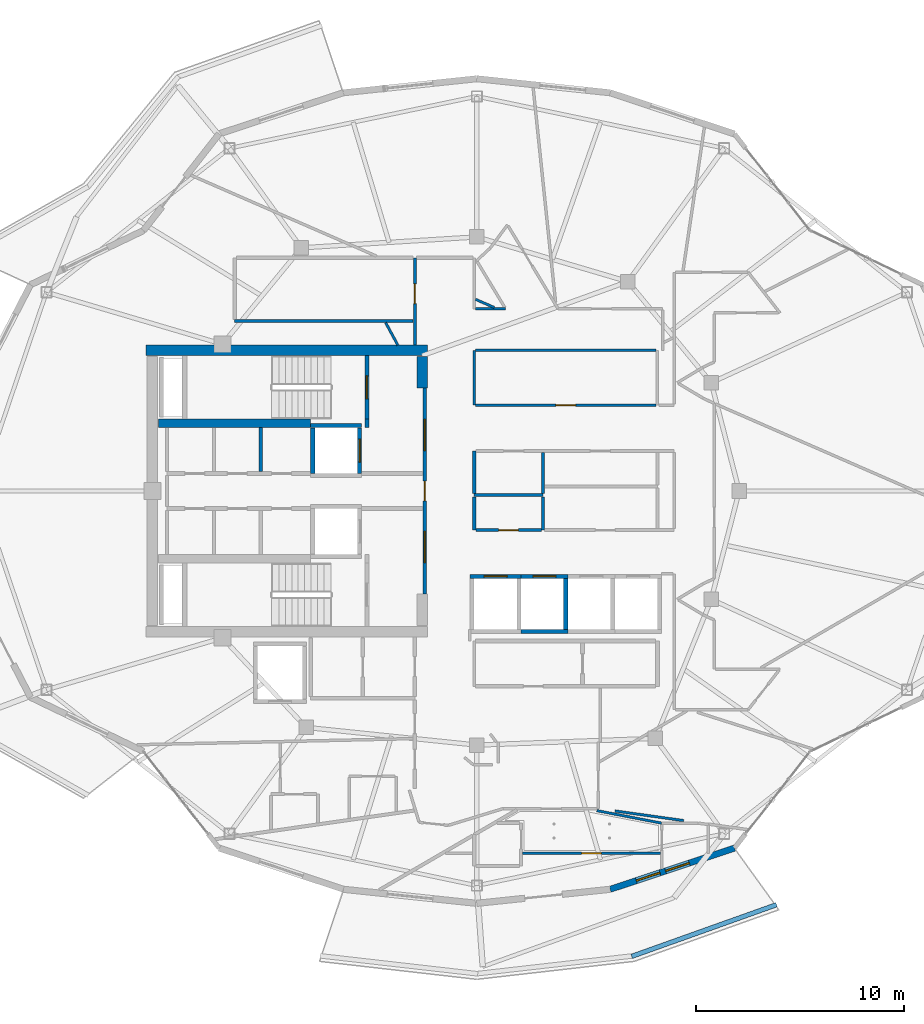
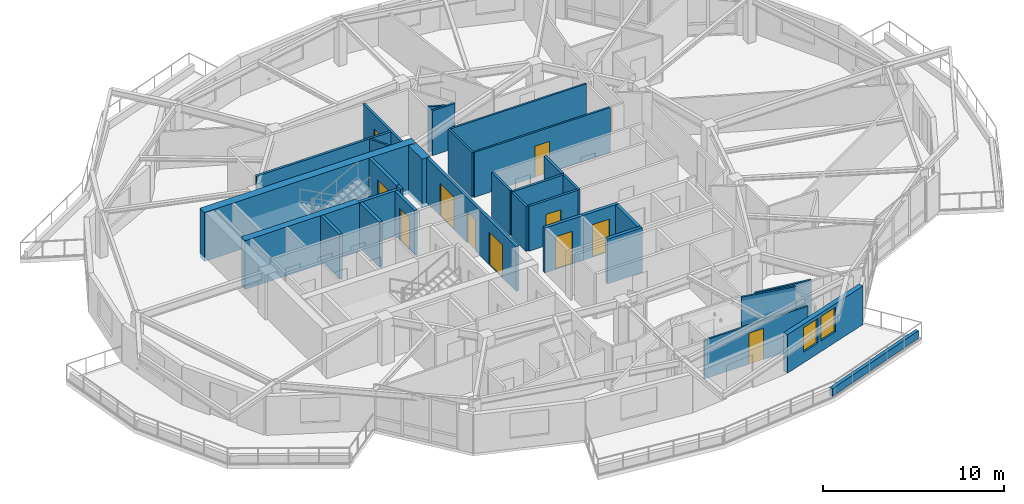
# One storey, part 10 of 21: 33 walls, 11 doors, 2 windows, 13 openings.
"""IFC4 building model written with IfcOpenShell, lengths in metres."""

import ifcopenshell
import ifcopenshell.guid

model = None  # the IFC model being written
_history = None  # IfcOwnerHistory: only IFC2X3 demands one
_inside = {}  # id of a spatial element -> (the spatial element, [elements in it])
_under = {}  # id of a project, library or spatial element -> (it, [spatial elements below it])
_declared = {}  # id of a project -> (the project, [libraries it declares])
_typed = {}  # id of a type object -> (the type object, [elements of that type])
_made_of = {}  # id of a material, layer set ... -> (it, [elements and type objects made of it])


def new_model(schema):
    """Start an empty IFC model of exactly this schema.

    Asked for "IFC4X3", IfcOpenShell would pick the latest addendum, in which some entities
    have other attributes; the version numbers below select the first issue.
    IFC2X3 requires an IfcOwnerHistory on every rooted entity: one is made here for all.
    """
    global model, _history
    if schema == "IFC4X3":
        model = ifcopenshell.file(schema_version=(4, 3, 0, 0))
    else:
        model = ifcopenshell.file(schema=schema)
    _inside.clear()
    _under.clear()
    _declared.clear()
    _typed.clear()
    _made_of.clear()
    _history = None
    if model.schema == "IFC2X3":
        org = make("IfcOrganization", Name="unknown")
        user = make(
            "IfcPersonAndOrganization",
            ThePerson=make("IfcPerson", FamilyName="unknown"),
            TheOrganization=org,
        )
        app = make(
            "IfcApplication",
            ApplicationDeveloper=org,
            Version="unknown",
            ApplicationFullName="unknown",
            ApplicationIdentifier="unknown",
        )
        _history = make(
            "IfcOwnerHistory",
            OwningUser=user,
            OwningApplication=app,
            ChangeAction="ADDED",
            CreationDate=0,
        )
    return model


def make(cls, **values):
    """One entity of the class cls with the attributes given. An attribute that is None is left unset."""
    return model.create_entity(
        cls, **{name: value for name, value in values.items() if value is not None}
    )


def rooted(cls, **values):
    """An entity with a GlobalId (a new one), such as an element, a storey or a relation."""
    return make(cls, GlobalId=ifcopenshell.guid.new(), OwnerHistory=_history, **values)


def si_unit(unit_type, name, prefix=None):
    """IfcSIUnit, for example si_unit("LENGTHUNIT", "METRE", prefix="MILLI")."""
    return make("IfcSIUnit", UnitType=unit_type, Prefix=prefix, Name=name)


def assignment(units):
    """IfcUnitAssignment: the units of a project."""
    return None if units is None else make("IfcUnitAssignment", Units=units)


def point(xyz):
    """IfcCartesianPoint."""
    return None if xyz is None else make("IfcCartesianPoint", Coordinates=xyz)


def direction(xyz):
    """IfcDirection."""
    return None if xyz is None else make("IfcDirection", DirectionRatios=xyz)


def frame(location, z_axis=None, x_axis=None):
    """IfcAxis2Placement3D, a coordinate frame: its origin and axes. An axis left out is left unset."""
    return make(
        "IfcAxis2Placement3D",
        Location=point(location),
        Axis=direction(z_axis),
        RefDirection=direction(x_axis),
    )


def frame_2d(location, x_axis=None):
    """IfcAxis2Placement2D, a coordinate frame in the plane: its origin and x axis."""
    return make(
        "IfcAxis2Placement2D", Location=point(location), RefDirection=direction(x_axis)
    )


def origin():
    """The frame at (0, 0, 0) with its axes left unset."""
    return frame((0.0, 0.0, 0.0))


def place(relative_to, where):
    """IfcLocalPlacement: puts the frame where relative to a parent placement (None: the world)."""
    return make(
        "IfcLocalPlacement", PlacementRelTo=relative_to, RelativePlacement=where
    )


def context(
    kind, dimensions, precision=None, world=None, true_north=None, identifier=None
):
    """IfcGeometricRepresentationContext, for example the 3D "Model" context."""
    return make(
        "IfcGeometricRepresentationContext",
        ContextIdentifier=identifier,
        ContextType=kind,
        CoordinateSpaceDimension=dimensions,
        Precision=precision,
        WorldCoordinateSystem=world,
        TrueNorth=true_north,
    )


def subcontext(parent, identifier, kind, view, scale=None):
    """IfcGeometricRepresentationSubContext, for example "Body" below "Model"."""
    return make(
        "IfcGeometricRepresentationSubContext",
        ContextIdentifier=identifier,
        ContextType=kind,
        ParentContext=parent,
        TargetScale=scale,
        TargetView=view,
    )


def project(units=None, contexts=None):
    """IfcProject with its units and contexts."""
    return rooted(
        "IfcProject",
        Name="project",
        RepresentationContexts=contexts,
        UnitsInContext=assignment(units),
    )


def spatial(cls, under=None, at=None, **own):
    """A site, building, storey or space (cls), placed at a placement, below another one or the project."""
    s = rooted(cls, ObjectPlacement=at, **own)
    if under is not None:
        _under.setdefault(under.id(), (under, []))[1].append(s)
    return s


def profile(cls, at=None, kind="AREA", **sizes):
    """A parametric profile (cls). Its sizes go by their IFC names, for example OverallWidth=200.0."""
    return make(cls, ProfileType=kind, Position=at, **sizes)


def rectangle(**sizes):
    """IfcRectangleProfileDef."""
    return profile("IfcRectangleProfileDef", **sizes)


def extrude(swept, where, along, depth):
    """IfcExtrudedAreaSolid: the profile swept, set in the frame where, extruded along a direction by depth."""
    return make(
        "IfcExtrudedAreaSolid",
        SweptArea=swept,
        Position=where,
        ExtrudedDirection=direction(along),
        Depth=depth,
    )


def shape(context_of_items, identifier, shape_type, items):
    """IfcShapeRepresentation: the items that make up one representation, for example the "Body"."""
    return make(
        "IfcShapeRepresentation",
        ContextOfItems=context_of_items,
        RepresentationIdentifier=identifier,
        RepresentationType=shape_type,
        Items=items,
    )


def material(Name=None, Category=None):
    """IfcMaterial."""
    return make("IfcMaterial", Name=Name, Category=Category)


def layer(
    of_material, thickness, ventilated=None, Name=None, Category=None, Priority=None
):
    """IfcMaterialLayer: one layer of a wall or slab, of a material (None: an air gap)."""
    return make(
        "IfcMaterialLayer",
        Material=of_material,
        LayerThickness=thickness,
        IsVentilated=ventilated,
        Name=Name,
        Category=Category,
        Priority=Priority,
    )


def layer_set(layers, Name=None):
    """IfcMaterialLayerSet."""
    return make("IfcMaterialLayerSet", MaterialLayers=layers, LayerSetName=Name)


def made_of(thing, what):
    """Note that an element or type object is made of a material, layer set ...; save() writes the relation."""
    if what is not None:
        _made_of.setdefault(what.id(), (what, []))[1].append(thing)
    return thing


def type_object(cls, material=None, **own):
    """A type object (cls), such as IfcWallType, which elements share."""
    return made_of(rooted(cls, **own), material)


def element(
    cls,
    number,
    at=None,
    inside=None,
    cuts=None,
    type_object=None,
    material=None,
    context=None,
    identifier="Body",
    shape_type=None,
    held_by="IfcProductDefinitionShape",
    body=None,
    shapes=None,
    **own,
):
    """One element of the class cls, such as IfcWall. Its Tag is "e" and its number.

    at: its placement. inside: the storey or other place that contains it. cuts: it is an
    opening in that element (IfcRelVoidsElement). A single representation is given by context,
    identifier, shape_type and body (its items); several are given by shapes. held_by: the class
    of the entity that holds the representations. save() writes the other relations.
    """
    e = rooted(cls, Tag="e%d" % number, ObjectPlacement=at, **own)
    if body is not None:
        shapes = [shape(context, identifier, shape_type, body)]
    if shapes is not None:
        e.Representation = make(held_by, Representations=shapes)
    if inside is not None:
        _inside.setdefault(inside.id(), (inside, []))[1].append(e)
    if cuts is not None:
        rooted(
            "IfcRelVoidsElement", RelatingBuildingElement=cuts, RelatedOpeningElement=e
        )
    if type_object is not None:
        _typed.setdefault(type_object.id(), (type_object, []))[1].append(e)
    return made_of(e, material)


def fill(opening, filler):
    """IfcRelFillsElement: the door or window that sits in an opening."""
    return rooted(
        "IfcRelFillsElement",
        RelatingOpeningElement=opening,
        RelatedBuildingElement=filler,
    )


def aggregate(whole, parts):
    """IfcRelAggregates: a whole, such as a stair, and the parts it consists of."""
    return rooted("IfcRelAggregates", RelatingObject=whole, RelatedObjects=parts)


def save(model, path):
    """Write the relations noted so far, then the file.

    IfcRelAggregates (storeys below a building ...), IfcRelContainedInSpatialStructure (elements
    in a storey), IfcRelDefinesByType, IfcRelAssociatesMaterial and IfcRelDeclares: one each for
    every whole, place, type object, material and project.
    """
    for whole, parts in _under.values():
        aggregate(whole, parts)
    for where, things in _inside.values():
        rooted(
            "IfcRelContainedInSpatialStructure",
            RelatedElements=things,
            RelatingStructure=where,
        )
    for kind, things in _typed.values():
        rooted("IfcRelDefinesByType", RelatedObjects=things, RelatingType=kind)
    for what, things in _made_of.values():
        rooted("IfcRelAssociatesMaterial", RelatedObjects=things, RelatingMaterial=what)
    for by, libraries in _declared.values():
        rooted("IfcRelDeclares", RelatingContext=by, RelatedDefinitions=libraries)
    model.write(path)


model = new_model("IFC4")

# Units and contexts
model_context = context("Model", 3, precision=1e-05, world=origin(), true_north=direction((0.0, 1.0)))
body_context = subcontext(model_context, "Body", "Model", "MODEL_VIEW")
ifc_project = project(units=[si_unit("LENGTHUNIT", "METRE"), si_unit("AREAUNIT", "SQUARE_METRE"), si_unit("VOLUMEUNIT", "CUBIC_METRE"), si_unit("PLANEANGLEUNIT", "RADIAN"), si_unit("MASSUNIT", "GRAM", prefix="KILO")], contexts=[model_context])

# Site, building, storey
site_placement = place(None, origin())
site = spatial("IfcSite", under=ifc_project, at=site_placement, CompositionType="ELEMENT")
building_placement = place(site_placement, origin())
building = spatial("IfcBuilding", under=site, at=building_placement, Name="Kolvaren Gate Tower and Convention Centre", CompositionType="ELEMENT")
storey_placement = place(building_placement, frame((0.0, 0.0, 226.10009765625)))
storey = spatial("IfcBuildingStorey", under=building, at=storey_placement, Name="L60", CompositionType="ELEMENT", Elevation=226.10009765625)

# Wall
ifc_material_1 = material(Name="Autoclaved Aerated Masonry Blockwork Class 4 (4.0 MPa)", Category="masonry")
ifc_layer_1 = layer(ifc_material_1, 0.179931640625)
ifc_layer_set_1 = layer_set([ifc_layer_1], Name="Autoclaved Aerated Masonry Blockwork Class 4 (4.0 MPa)")
wall_type_1 = type_object("IfcWallType", Name="ARCH-WL-COMP-180", PredefinedType="SOLIDWALL", material=ifc_layer_set_1)
wall_1_placement = place(storey_placement, frame((24.85009765625, 30.0400390625, 0.0), z_axis=(0.0, 0.0, 1.0), x_axis=(0.0, 1.0, 0.0)))
element("IfcWall", 1, at=wall_1_placement, inside=storey, type_object=wall_type_1, Name="Interior Partition WL-L60-INT-002", PredefinedType="SOLIDWALL", context=body_context, shape_type="SweptSolid", body=[
    extrude(rectangle(XDim=0.419921875, YDim=0.179931640625, at=frame_2d((0.2099609375, 0.0))), origin(), (0.0, 0.0, 1.0), 3.02978515625),
])

# Wall, openings, doors
wall_2_placement = place(storey_placement, frame((27.6201171875, 22.050048828125, 0.0), z_axis=(0.0, 0.0, 1.0), x_axis=(0.0, 1.0, 0.0)))
wall_2 = element("IfcWall", 2, at=wall_2_placement, inside=storey, type_object=wall_type_1, Name="Interior Partition WL-L60-INT-003", PredefinedType="SOLIDWALL", context=body_context, shape_type="SweptSolid", body=[
    extrude(rectangle(XDim=9.89990234375, YDim=0.179931640625, at=frame_2d((4.949951171875, 0.0))), origin(), (0.0, 0.0, 1.0), 3.02978515625),
])
opening_1_placement = place(wall_2_placement, frame((4.47509765625, 0.0, 0.0)))
opening_1 = element("IfcOpeningElement", 3, at=opening_1_placement, cuts=wall_2, Name="Opening DR-01", PredefinedType="OPENING", context=body_context, shape_type="SweptSolid", body=[
    extrude(rectangle(XDim=0.949951171875, YDim=2.10009765625, at=frame_2d((0.47509765625, 1.050048828125))), frame((0.0, 0.099853515625, 0.0), z_axis=(0.0, -1.0, 0.0), x_axis=(1.0, 0.0, 0.0)), (0.0, 0.0, 1.0), 0.199951171875),
])
opening_2_placement = place(wall_2_placement, frame((6.889892578125, 0.0, 0.0)))
opening_2 = element("IfcOpeningElement", 4, at=opening_2_placement, cuts=wall_2, Name="Opening DL-01", PredefinedType="OPENING", context=body_context, shape_type="SweptSolid", body=[
    extrude(rectangle(XDim=1.5, YDim=2.199951171875, at=frame_2d((0.75, 1.10009765625))), frame((0.0, 0.099853515625, 0.0), z_axis=(0.0, -1.0, 0.0), x_axis=(1.0, 0.0, 0.0)), (0.0, 0.0, 1.0), 0.199951171875),
])
opening_3_placement = place(wall_2_placement, frame((1.510009765625, 0.0, 0.0)))
opening_3 = element("IfcOpeningElement", 5, at=opening_3_placement, cuts=wall_2, Name="Opening DL-01", PredefinedType="OPENING", context=body_context, shape_type="SweptSolid", body=[
    extrude(rectangle(XDim=1.5, YDim=2.199951171875, at=frame_2d((0.75, 1.10009765625))), frame((0.0, 0.099853515625, 0.0), z_axis=(0.0, -1.0, 0.0), x_axis=(1.0, 0.0, 0.0)), (0.0, 0.0, 1.0), 0.199951171875),
])
ifc_material_2 = material(Name="Painted Architectural Steelwork ASTM A500 Grade C 345 MPa", Category="steel")
door_type_1 = type_object("IfcDoorType", Name="ARCH-DR-LOBBY-1500", OperationType="DOUBLE_DOOR_SINGLE_SWING", PredefinedType="DOOR", material=ifc_material_2)
door_1_placement = place(opening_2_placement, origin())
door_1 = element("IfcDoor", 6, at=door_1_placement, inside=storey, type_object=door_type_1, Name="North Firefighting Stair and Lift Lobby Door", OperationType="DOUBLE_DOOR_SINGLE_SWING", OverallHeight=2.199951171875, OverallWidth=1.5, PredefinedType="DOOR", context=body_context, shape_type="SweptSolid", body=[
    extrude(rectangle(XDim=1.5, YDim=2.199951171875, at=frame_2d((0.75, 1.10009765625))), frame((0.0, 0.02490234375, 0.0), z_axis=(0.0, -1.0, 0.0), x_axis=(1.0, 0.0, 0.0)), (0.0, 0.0, 1.0), 0.050048828125),
])
fill(opening_2, door_1)
door_2_placement = place(opening_3_placement, origin())
door_2 = element("IfcDoor", 7, at=door_2_placement, inside=storey, type_object=door_type_1, Name="South Firefighting Stair and Lift Lobby Door", OperationType="DOUBLE_DOOR_SINGLE_SWING", OverallHeight=2.199951171875, OverallWidth=1.5, PredefinedType="DOOR", context=body_context, shape_type="SweptSolid", body=[
    extrude(rectangle(XDim=1.5, YDim=2.199951171875, at=frame_2d((0.75, 1.10009765625))), frame((0.0, 0.02490234375, 0.0), z_axis=(0.0, -1.0, 0.0), x_axis=(1.0, 0.0, 0.0)), (0.0, 0.0, 1.0), 0.050048828125),
])
fill(opening_3, door_2)
door_type_2 = type_object("IfcDoorType", Name="ARCH-DR-RISER-950", OperationType="SINGLE_SWING_RIGHT", PredefinedType="DOOR", material=ifc_material_2)
door_3_placement = place(opening_1_placement, origin())
door_3 = element("IfcDoor", 8, at=door_3_placement, inside=storey, type_object=door_type_2, Name="Central MEP Service Corridor Door", OperationType="SINGLE_SWING_LEFT", OverallHeight=2.10009765625, OverallWidth=0.949951171875, PredefinedType="DOOR", context=body_context, shape_type="SweptSolid", body=[
    extrude(rectangle(XDim=0.949951171875, YDim=2.10009765625, at=frame_2d((0.47509765625, 1.050048828125))), frame((0.0, 0.02490234375, 0.0), z_axis=(0.0, -1.0, 0.0), x_axis=(1.0, 0.0, 0.0)), (0.0, 0.0, 1.0), 0.050048828125),
])
fill(opening_1, door_3)

# Walls
wall_3_placement = place(storey_placement, frame((19.75, 27.931884765625, 0.0), z_axis=(0.0, 0.0, 1.0), x_axis=(0.0, 1.0, 0.0)))
element("IfcWall", 9, at=wall_3_placement, inside=storey, type_object=wall_type_1, Name="Interior Partition WL-L60-INT-008", PredefinedType="SOLIDWALL", context=body_context, shape_type="SweptSolid", body=[
    extrude(rectangle(XDim=2.106201171875, YDim=0.179931640625, at=frame_2d((1.05322265625, 0.0))), origin(), (0.0, 0.0, 1.0), 3.02978515625),
])
ifc_material_3 = material(Name="Fire-Rated Acoustic Gypsum Stud Partition", Category="gypsum")
ifc_layer_2 = layer(ifc_material_3, 0.1201171875)
ifc_layer_set_2 = layer_set([ifc_layer_2], Name="Fire-Rated Acoustic Gypsum Stud Partition")
wall_type_2 = type_object("IfcWallType", Name="ARCH-WL-PART-120", PredefinedType="PARTITIONING", material=ifc_layer_set_2)
wall_4_placement = place(storey_placement, frame((30.0, 31.1201171875, 0.0), z_axis=(0.0, 0.0, 1.0), x_axis=(0.0, 1.0, 0.0)))
element("IfcWall", 10, at=wall_4_placement, inside=storey, type_object=wall_type_2, Name="Interior Partition WL-L60-INT-020", PredefinedType="PARTITIONING", context=body_context, shape_type="SweptSolid", body=[
    extrude(rectangle(XDim=2.6298828125, YDim=0.1201171875, at=frame_2d((1.31494140625, 0.0))), origin(), (0.0, 0.0, 1.0), 3.02978515625),
])

# Wall, opening, door
wall_5_placement = place(storey_placement, frame((30.06201171875, 31.1201171875, 0.0), z_axis=(0.0, 0.0, 1.0), x_axis=(1.0, 0.0, 0.0)))
wall_5 = element("IfcWall", 11, at=wall_5_placement, inside=storey, type_object=wall_type_2, Name="Interior Partition WL-L60-INT-029", PredefinedType="PARTITIONING", context=body_context, shape_type="SweptSolid", body=[
    extrude(rectangle(XDim=8.676025390625, YDim=0.1201171875, at=frame_2d((4.337890625, 0.0))), origin(), (0.0, 0.0, 1.0), 3.02978515625),
])
opening_4_placement = place(wall_5_placement, frame((3.863037109375, 0.0, 0.0)))
opening_4 = element("IfcOpeningElement", 12, at=opening_4_placement, cuts=wall_5, Name="Opening DR-01", PredefinedType="OPENING", context=body_context, shape_type="SweptSolid", body=[
    extrude(rectangle(XDim=0.949951171875, YDim=2.10009765625, at=frame_2d((0.47509765625, 1.050048828125))), frame((0.0, 0.070068359375, 0.0), z_axis=(0.0, -1.0, 0.0), x_axis=(1.0, 0.0, 0.0)), (0.0, 0.0, 1.0), 0.14013671875),
])
door_4_placement = place(opening_4_placement, origin())
door_4 = element("IfcDoor", 13, at=door_4_placement, inside=storey, type_object=door_type_2, Name="Botanical Reading Clubroom Door", OperationType="SINGLE_SWING_LEFT", OverallHeight=2.10009765625, OverallWidth=0.949951171875, PredefinedType="DOOR", context=body_context, shape_type="SweptSolid", body=[
    extrude(rectangle(XDim=0.949951171875, YDim=2.10009765625, at=frame_2d((0.47509765625, 1.050048828125))), frame((0.0, 0.02490234375, 0.0), z_axis=(0.0, -1.0, 0.0), x_axis=(1.0, 0.0, 0.0)), (0.0, 0.0, 1.0), 0.050048828125),
])
fill(opening_4, door_4)

# Walls
wall_6_placement = place(storey_placement, frame((30.06201171875, 33.75, 0.0), z_axis=(0.0, 0.0, 1.0), x_axis=(1.0, 0.0, 0.0)))
element("IfcWall", 14, at=wall_6_placement, inside=storey, type_object=wall_type_2, Name="Interior Partition WL-L60-INT-030", PredefinedType="PARTITIONING", context=body_context, shape_type="SweptSolid", body=[
    extrude(rectangle(XDim=8.676025390625, YDim=0.1201171875, at=frame_2d((4.337890625, 0.0))), origin(), (0.0, 0.0, 1.0), 3.02978515625),
])
wall_7_placement = place(storey_placement, frame((30.06201171875, 35.75, 0.0), z_axis=(0.0, 0.0, 1.0), x_axis=(1.0, 0.0, 0.0)))
element("IfcWall", 15, at=wall_7_placement, inside=storey, type_object=wall_type_2, Name="Interior Partition WL-L60-INT-037", PredefinedType="PARTITIONING", context=body_context, shape_type="SweptSolid", body=[
    extrude(rectangle(XDim=1.445068359375, YDim=0.1201171875, at=frame_2d((0.72265625, 0.0))), origin(), (0.0, 0.0, 1.0), 3.02978515625),
])
wall_8_placement = place(storey_placement, frame((35.887939453125, 11.65234375, 0.0), z_axis=(0.0, 0.0, 1.0), x_axis=(0.981782168089, -0.190009932429, 0.0)))
element("IfcWall", 16, at=wall_8_placement, inside=storey, type_object=wall_type_2, Name="Interior Partition WL-L60-INT-091", PredefinedType="PARTITIONING", context=body_context, shape_type="SweptSolid", body=[
    extrude(rectangle(XDim=3.169921875, YDim=0.1201171875, at=frame_2d((1.5849609375, 0.0))), origin(), (0.0, 0.0, 1.0), 3.02978515625),
])

# Wall, opening, door
wall_9_placement = place(storey_placement, frame((32.326904296875, 9.60498046875, 0.0), z_axis=(0.0, 0.0, 1.0), x_axis=(1.0, 0.0, 0.0)))
wall_9 = element("IfcWall", 17, at=wall_9_placement, inside=storey, type_object=wall_type_2, Name="Interior Partition WL-L60-INT-094", PredefinedType="PARTITIONING", context=body_context, shape_type="SweptSolid", body=[
    extrude(rectangle(XDim=6.611083984375, YDim=0.1201171875, at=frame_2d((3.3056640625, 0.0))), origin(), (0.0, 0.0, 1.0), 2.60498046875),
])
opening_5_placement = place(wall_9_placement, frame((2.83056640625, 0.0, 0.0)))
opening_5 = element("IfcOpeningElement", 18, at=opening_5_placement, cuts=wall_9, Name="Opening DI-01", PredefinedType="OPENING", context=body_context, shape_type="SweptSolid", body=[
    extrude(rectangle(XDim=0.949951171875, YDim=2.10009765625, at=frame_2d((0.47509765625, 1.050048828125))), frame((0.0, 0.070068359375, 0.0), z_axis=(0.0, -1.0, 0.0), x_axis=(1.0, 0.0, 0.0)), (0.0, 0.0, 1.0), 0.14013671875),
])
ifc_material_4 = material(Name="FSC Andean Oak Engineered Veneer Door Leaf", Category="wood")
door_type_3 = type_object("IfcDoorType", Name="ARCH-DR-INT-950", OperationType="SINGLE_SWING_LEFT", PredefinedType="DOOR", material=ifc_material_4)
door_5_placement = place(opening_5_placement, origin())
door_5 = element("IfcDoor", 19, at=door_5_placement, inside=storey, type_object=door_type_3, Name="Apartment Bedroom (APT-L60-02) Door", OperationType="SINGLE_SWING_RIGHT", OverallHeight=2.10009765625, OverallWidth=0.949951171875, PredefinedType="DOOR", context=body_context, shape_type="SweptSolid", body=[
    extrude(rectangle(XDim=0.949951171875, YDim=2.10009765625, at=frame_2d((0.47509765625, 1.050048828125))), frame((0.0, 0.02490234375, 0.0), z_axis=(0.0, -1.0, 0.0), x_axis=(1.0, 0.0, 0.0)), (0.0, 0.0, 1.0), 0.050048828125),
])
fill(opening_5, door_5)

# Walls
wall_10_placement = place(storey_placement, frame((36.76416015625, 11.635498046875, 0.0), z_axis=(0.0, 0.0, 1.0), x_axis=(0.990262425383, -0.139213249639, 0.0)))
element("IfcWall", 20, at=wall_10_placement, inside=storey, type_object=wall_type_2, Name="Interior Partition WL-L60-INT-099", PredefinedType="PARTITIONING", context=body_context, shape_type="SweptSolid", body=[
    extrude(rectangle(XDim=3.32861328125, YDim=0.1201171875, at=frame_2d((1.664306640625, 0.0))), origin(), (0.0, 0.0, 1.0), 3.02978515625),
])
wall_11_placement = place(storey_placement, frame((30.06201171875, 36.2041015625, 0.0), z_axis=(0.0, 0.0, 1.0), x_axis=(0.916602414635, -0.39979996684, 0.0)))
element("IfcWall", 21, at=wall_11_placement, inside=storey, type_object=wall_type_2, Name="Interior Partition WL-L60-INT-101", PredefinedType="PARTITIONING", context=body_context, shape_type="SweptSolid", body=[
    extrude(rectangle(XDim=0.980712890625, YDim=0.1201171875, at=frame_2d((0.490234375, 0.0))), origin(), (0.0, 0.0, 1.0), 3.02978515625),
])
wall_12_placement = place(storey_placement, frame((25.748779296875, 35.0830078125, 0.0), z_axis=(0.0, 0.0, 1.0), x_axis=(0.476052805352, -0.879416696746, 0.0)))
element("IfcWall", 22, at=wall_12_placement, inside=storey, type_object=wall_type_2, Name="Interior Partition WL-L60-INT-107", PredefinedType="PARTITIONING", context=body_context, shape_type="SweptSolid", body=[
    extrude(rectangle(XDim=1.229248046875, YDim=0.1201171875, at=frame_2d((0.61474609375, 0.0))), origin(), (0.0, 0.0, 1.0), 3.02978515625),
])
ifc_material_5 = material(Name="Piedmont Cream Honed Limestone Cladding", Category="masonry")
ifc_layer_3 = layer(ifc_material_5, 0.219970703125)
ifc_layer_set_3 = layer_set([ifc_layer_3], Name="Piedmont Cream Honed Limestone Cladding")
wall_type_3 = type_object("IfcWallType", Name="ARCH-WL-PLANTER-220", PredefinedType="PARAPET", material=ifc_layer_set_3)
wall_13_placement = place(storey_placement, frame((37.564697265625, 4.65283203125, 0.0), z_axis=(0.0, 0.0, 1.0), x_axis=(0.941780086523, 0.336229488042, 0.0)))
element("IfcWall", 23, at=wall_13_placement, inside=storey, type_object=wall_type_3, Name="Vertical-Forest Balcony Stone Planter Kerb PK-L60-3.3", PredefinedType="PARAPET", context=body_context, shape_type="SweptSolid", body=[
    extrude(rectangle(XDim=7.3779296875, YDim=0.219970703125, at=frame_2d((3.68896484375, 0.0))), origin(), (0.0, 0.0, 1.0), 0.52001953125),
])
ifc_layer_4 = layer(ifc_material_1, 0.199951171875)
ifc_layer_set_4 = layer_set([ifc_layer_4], Name="Autoclaved Aerated Masonry Blockwork Class 4 (4.0 MPa)")
wall_type_4 = type_object("IfcWallType", Name="ARCH-WL-SHAFT-200", PredefinedType="SOLIDWALL", material=ifc_layer_set_4)
wall_14_placement = place(storey_placement, frame((22.14990234375, 30.139892578125, 0.0), z_axis=(0.0, 0.0, 1.0), x_axis=(1.0, 0.0, 0.0)))
element("IfcWall", 24, at=wall_14_placement, inside=storey, type_object=wall_type_4, Name="Elevator FF-01 L60 Fire Shaft Wall N", PredefinedType="SOLIDWALL", context=body_context, shape_type="SweptSolid", body=[
    extrude(rectangle(XDim=2.4501953125, YDim=0.199951171875, at=frame_2d((1.22509765625, 0.0))), origin(), (0.0, 0.0, 1.0), 3.02978515625),
])
wall_15_placement = place(storey_placement, frame((22.25, 27.85009765625, 0.0), z_axis=(0.0, 0.0, 1.0), x_axis=(0.0, 1.0, 0.0)))
element("IfcWall", 25, at=wall_15_placement, inside=storey, type_object=wall_type_4, Name="Elevator FF-01 L60 Fire Shaft Wall W", PredefinedType="SOLIDWALL", context=body_context, shape_type="SweptSolid", body=[
    extrude(rectangle(XDim=2.179931640625, YDim=0.199951171875, at=frame_2d((1.08984375, 0.0))), origin(), (0.0, 0.0, 1.0), 3.02978515625),
])

# Wall, opening, door
wall_16_placement = place(storey_placement, frame((24.5, 27.85009765625, 0.0), z_axis=(0.0, 0.0, 1.0), x_axis=(0.0, 1.0, 0.0)))
wall_16 = element("IfcWall", 26, at=wall_16_placement, inside=storey, type_object=wall_type_4, Name="Elevator FF-01 L60 Fire Shaft Wall E", PredefinedType="SOLIDWALL", context=body_context, shape_type="SweptSolid", body=[
    extrude(rectangle(XDim=2.179931640625, YDim=0.199951171875, at=frame_2d((1.08984375, 0.0))), origin(), (0.0, 0.0, 1.0), 3.02978515625),
])
opening_6_placement = place(wall_16_placement, frame((0.5400390625, 0.0, 0.0)))
opening_6 = element("IfcOpeningElement", 27, at=opening_6_placement, cuts=wall_16, Name="Opening LD", PredefinedType="OPENING", context=body_context, shape_type="SweptSolid", body=[
    extrude(rectangle(XDim=1.10009765625, YDim=2.199951171875, at=frame_2d((0.550048828125, 1.10009765625))), frame((0.0, 0.10986328125, 0.0), z_axis=(0.0, -1.0, 0.0), x_axis=(1.0, 0.0, 0.0)), (0.0, 0.0, 1.0), 0.219970703125),
])
ifc_material_6 = material(Name="Brushed Stainless Steel Grade 316L", Category="steel")
door_type_4 = type_object("IfcDoorType", Name="ARCH-DR-LIFT-1100", OperationType="SLIDING_TO_LEFT", PredefinedType="DOOR", material=ifc_material_6)
door_6_placement = place(opening_6_placement, origin())
door_6 = element("IfcDoor", 28, at=door_6_placement, inside=storey, type_object=door_type_4, Name="Elevator FF-01 L60 Sliding Landing Door", OperationType="SLIDING_TO_LEFT", OverallHeight=2.199951171875, OverallWidth=1.10009765625, PredefinedType="DOOR", context=body_context, shape_type="SweptSolid", body=[
    extrude(rectangle(XDim=1.10009765625, YDim=2.199951171875, at=frame_2d((0.550048828125, 1.10009765625))), frame((0.0, 0.02490234375, 0.0), z_axis=(0.0, -1.0, 0.0), x_axis=(1.0, 0.0, 0.0)), (0.0, 0.0, 1.0), 0.050048828125),
])
fill(opening_6, door_6)

wall_17_placement = place(storey_placement, frame((29.800048828125, 22.89990234375, 0.0), z_axis=(0.0, 0.0, 1.0), x_axis=(1.0, 0.0, 0.0)))
wall_17 = element("IfcWall", 29, at=wall_17_placement, inside=storey, type_object=wall_type_4, Name="Elevator PL-09 L60 Fire Shaft Wall N", PredefinedType="SOLIDWALL", context=body_context, shape_type="SweptSolid", body=[
    extrude(rectangle(XDim=2.449951171875, YDim=0.199951171875, at=frame_2d((1.22509765625, 0.0))), origin(), (0.0, 0.0, 1.0), 3.02978515625),
])
opening_7_placement = place(wall_17_placement, frame((0.675048828125, 0.0, 0.0)))
opening_7 = element("IfcOpeningElement", 30, at=opening_7_placement, cuts=wall_17, Name="Opening LD", PredefinedType="OPENING", context=body_context, shape_type="SweptSolid", body=[
    extrude(rectangle(XDim=1.10009765625, YDim=2.199951171875, at=frame_2d((0.550048828125, 1.10009765625))), frame((0.0, 0.10986328125, 0.0), z_axis=(0.0, -1.0, 0.0), x_axis=(1.0, 0.0, 0.0)), (0.0, 0.0, 1.0), 0.219970703125),
])
door_7_placement = place(opening_7_placement, origin())
door_7 = element("IfcDoor", 31, at=door_7_placement, inside=storey, type_object=door_type_4, Name="Elevator PL-09 L60 Sliding Landing Door", OperationType="SLIDING_TO_LEFT", OverallHeight=2.199951171875, OverallWidth=1.10009765625, PredefinedType="DOOR", context=body_context, shape_type="SweptSolid", body=[
    extrude(rectangle(XDim=1.10009765625, YDim=2.199951171875, at=frame_2d((0.550048828125, 1.10009765625))), frame((0.0, 0.02490234375, 0.0), z_axis=(0.0, -1.0, 0.0), x_axis=(1.0, 0.0, 0.0)), (0.0, 0.0, 1.0), 0.050048828125),
])
fill(opening_7, door_7)

wall_18_placement = place(storey_placement, frame((32.25, 22.89990234375, 0.0), z_axis=(0.0, 0.0, 1.0), x_axis=(1.0, 0.0, 0.0)))
wall_18 = element("IfcWall", 32, at=wall_18_placement, inside=storey, type_object=wall_type_4, Name="Elevator PL-10 L60 Fire Shaft Wall N", PredefinedType="SOLIDWALL", context=body_context, shape_type="SweptSolid", body=[
    extrude(rectangle(XDim=2.25, YDim=0.199951171875, at=frame_2d((1.125, 0.0))), origin(), (0.0, 0.0, 1.0), 3.02978515625),
])
opening_8_placement = place(wall_18_placement, frame((0.574951171875, 0.0, 0.0)))
opening_8 = element("IfcOpeningElement", 33, at=opening_8_placement, cuts=wall_18, Name="Opening LD", PredefinedType="OPENING", context=body_context, shape_type="SweptSolid", body=[
    extrude(rectangle(XDim=1.10009765625, YDim=2.199951171875, at=frame_2d((0.550048828125, 1.10009765625))), frame((0.0, 0.10986328125, 0.0), z_axis=(0.0, -1.0, 0.0), x_axis=(1.0, 0.0, 0.0)), (0.0, 0.0, 1.0), 0.219970703125),
])
door_8_placement = place(opening_8_placement, origin())
door_8 = element("IfcDoor", 34, at=door_8_placement, inside=storey, type_object=door_type_4, Name="Elevator PL-10 L60 Sliding Landing Door", OperationType="SLIDING_TO_LEFT", OverallHeight=2.199951171875, OverallWidth=1.10009765625, PredefinedType="DOOR", context=body_context, shape_type="SweptSolid", body=[
    extrude(rectangle(XDim=1.10009765625, YDim=2.199951171875, at=frame_2d((0.550048828125, 1.10009765625))), frame((0.0, 0.02490234375, 0.0), z_axis=(0.0, -1.0, 0.0), x_axis=(1.0, 0.0, 0.0)), (0.0, 0.0, 1.0), 0.050048828125),
])
fill(opening_8, door_8)

# Walls
wall_19_placement = place(storey_placement, frame((32.25, 20.25, 0.0), z_axis=(0.0, 0.0, 1.0), x_axis=(1.0, 0.0, 0.0)))
element("IfcWall", 35, at=wall_19_placement, inside=storey, type_object=wall_type_4, Name="Elevator PL-10 L60 Fire Shaft Wall S", PredefinedType="SOLIDWALL", context=body_context, shape_type="SweptSolid", body=[
    extrude(rectangle(XDim=2.25, YDim=0.199951171875, at=frame_2d((1.125, 0.0))), origin(), (0.0, 0.0, 1.0), 3.02978515625),
])
wall_20_placement = place(storey_placement, frame((34.39990234375, 20.360107421875, 0.0), z_axis=(0.0, 0.0, 1.0), x_axis=(0.0, 1.0, 0.0)))
element("IfcWall", 36, at=wall_20_placement, inside=storey, type_object=wall_type_4, Name="Elevator PL-10 L60 Fire Shaft Wall E", PredefinedType="SOLIDWALL", context=body_context, shape_type="SweptSolid", body=[
    extrude(rectangle(XDim=2.429931640625, YDim=0.199951171875, at=frame_2d((1.21484375, 0.0))), origin(), (0.0, 0.0, 1.0), 3.02978515625),
])

# Wall, openings, windows
ifc_layer_5 = layer(ifc_material_5, 0.300048828125)
ifc_layer_set_5 = layer_set([ifc_layer_5], Name="Piedmont Cream Honed Limestone Cladding")
wall_type_5 = type_object("IfcWallType", Name="ARCH-WL-STONE-300", PredefinedType="SOLIDWALL", material=ifc_layer_set_5)
wall_21_placement = place(storey_placement, frame((36.53076171875, 7.874755859375, 0.0), z_axis=(0.0, 0.0, 1.0), x_axis=(0.949240877604, 0.314550085495, 0.0)))
wall_21 = element("IfcWall", 37, at=wall_21_placement, inside=storey, type_object=wall_type_5, Name="Tower L60 Honed Stone Spandrel Wall EW-19", PredefinedType="SOLIDWALL", context=body_context, shape_type="SweptSolid", body=[
    extrude(rectangle(XDim=6.288330078125, YDim=0.300048828125, at=frame_2d((3.14404296875, 0.0))), origin(), (0.0, 0.0, 1.0), 2.60498046875),
])
opening_9_placement = place(wall_21_placement, frame((1.321533203125, 0.0, 0.719970703125)))
opening_9 = element("IfcOpeningElement", 38, at=opening_9_placement, cuts=wall_21, Name="Opening W-04", PredefinedType="OPENING", context=body_context, shape_type="SweptSolid", body=[
    extrude(rectangle(XDim=1.199951171875, YDim=1.64990234375, at=frame_2d((0.60009765625, 0.824951171875))), frame((0.0, 0.159912109375, 0.0), z_axis=(0.0, -1.0, 0.0), x_axis=(1.0, 0.0, 0.0)), (0.0, 0.0, 1.0), 0.320068359375),
])
opening_10_placement = place(wall_21_placement, frame((2.802490234375, 0.0, 0.719970703125)))
opening_10 = element("IfcOpeningElement", 39, at=opening_10_placement, cuts=wall_21, Name="Opening W-04", PredefinedType="OPENING", context=body_context, shape_type="SweptSolid", body=[
    extrude(rectangle(XDim=1.199951171875, YDim=1.64990234375, at=frame_2d((0.60009765625, 0.824951171875))), frame((0.0, 0.159912109375, 0.0), z_axis=(0.0, -1.0, 0.0), x_axis=(1.0, 0.0, 0.0)), (0.0, 0.0, 1.0), 0.320068359375),
])
ifc_material_7 = material(Name="Low-E Triple Insulated Glazing Unit 44 mm", Category="glass")
window_type = type_object("IfcWindowType", Name="ARCH-WN-NARROW-1200", PartitioningType="SINGLE_PANEL", PredefinedType="WINDOW", material=ifc_material_7)
window_1_placement = place(opening_9_placement, origin())
window_1 = element("IfcWindow", 40, at=window_1_placement, inside=storey, type_object=window_type, Name="Tower L60 Punched Stone Facade Window W-19", OverallHeight=1.64990234375, OverallWidth=1.199951171875, PartitioningType="SINGLE_PANEL", PredefinedType="WINDOW", context=body_context, shape_type="SweptSolid", body=[
    extrude(rectangle(XDim=1.199951171875, YDim=1.64990234375, at=frame_2d((0.60009765625, 0.824951171875))), frame((0.0, 0.030029296875, 0.0), z_axis=(0.0, -1.0, 0.0), x_axis=(1.0, 0.0, 0.0)), (0.0, 0.0, 1.0), 0.06005859375),
])
fill(opening_9, window_1)
window_2_placement = place(opening_10_placement, origin())
window_2 = element("IfcWindow", 41, at=window_2_placement, inside=storey, type_object=window_type, Name="Tower L60 Punched Stone Facade Window W-19B", OverallHeight=1.64990234375, OverallWidth=1.199951171875, PartitioningType="SINGLE_PANEL", PredefinedType="WINDOW", context=body_context, shape_type="SweptSolid", body=[
    extrude(rectangle(XDim=1.199951171875, YDim=1.64990234375, at=frame_2d((0.60009765625, 0.824951171875))), frame((0.0, 0.030029296875, 0.0), z_axis=(0.0, -1.0, 0.0), x_axis=(1.0, 0.0, 0.0)), (0.0, 0.0, 1.0), 0.06005859375),
])
fill(opening_10, window_2)

# Wall, opening, door
ifc_material_8 = material(Name="Moisture-Resistant Cement-Board Acoustic Partition", Category="gypsum")
ifc_layer_6 = layer(ifc_material_8, 0.14990234375)
ifc_layer_set_6 = layer_set([ifc_layer_6], Name="Moisture-Resistant Cement-Board Acoustic Partition")
wall_type_6 = type_object("IfcWallType", Name="ARCH-WL-WET-150", PredefinedType="PARTITIONING", material=ifc_layer_set_6)
wall_22_placement = place(storey_placement, frame((27.14990234375, 34.001953125, 0.0), z_axis=(0.0, 0.0, 1.0), x_axis=(0.0, 1.0, 0.0)))
wall_22 = element("IfcWall", 42, at=wall_22_placement, inside=storey, type_object=wall_type_6, Name="Interior Partition WL-L60-INT-015", PredefinedType="PARTITIONING", context=body_context, shape_type="SweptSolid", body=[
    extrude(rectangle(XDim=4.197998046875, YDim=0.14990234375, at=frame_2d((2.09912109375, 0.0))), origin(), (0.0, 0.0, 1.0), 3.02978515625),
])
opening_11_placement = place(wall_22_placement, frame((1.998046875, 0.0, 0.0)))
opening_11 = element("IfcOpeningElement", 43, at=opening_11_placement, cuts=wall_22, Name="Opening DR-01", PredefinedType="OPENING", context=body_context, shape_type="SweptSolid", body=[
    extrude(rectangle(XDim=0.949951171875, YDim=2.10009765625, at=frame_2d((0.47509765625, 1.050048828125))), frame((0.0, 0.0849609375, 0.0), z_axis=(0.0, -1.0, 0.0), x_axis=(1.0, 0.0, 0.0)), (0.0, 0.0, 1.0), 0.169921875),
])
door_9_placement = place(opening_11_placement, origin())
door_9 = element("IfcDoor", 44, at=door_9_placement, inside=storey, type_object=door_type_2, Name="Reclaimed North Resident Store Door", OperationType="SINGLE_SWING_LEFT", OverallHeight=2.10009765625, OverallWidth=0.949951171875, PredefinedType="DOOR", context=body_context, shape_type="SweptSolid", body=[
    extrude(rectangle(XDim=0.949951171875, YDim=2.10009765625, at=frame_2d((0.47509765625, 1.050048828125))), frame((0.0, 0.02490234375, 0.0), z_axis=(0.0, -1.0, 0.0), x_axis=(1.0, 0.0, 0.0)), (0.0, 0.0, 1.0), 0.050048828125),
])
fill(opening_11, door_9)

# Walls
wall_23_placement = place(storey_placement, frame((30.0, 26.800048828125, 0.0), z_axis=(0.0, 0.0, 1.0), x_axis=(1.0, 0.0, 0.0)))
element("IfcWall", 45, at=wall_23_placement, inside=storey, type_object=wall_type_6, Name="Interior Partition WL-L60-INT-016", PredefinedType="PARTITIONING", context=body_context, shape_type="SweptSolid", body=[
    extrude(rectangle(XDim=3.300048828125, YDim=0.14990234375, at=frame_2d((1.64990234375, 0.0))), origin(), (0.0, 0.0, 1.0), 3.02978515625),
])
wall_24_placement = place(storey_placement, frame((30.0, 25.1201171875, 0.0), z_axis=(0.0, 0.0, 1.0), x_axis=(0.0, 1.0, 0.0)))
element("IfcWall", 46, at=wall_24_placement, inside=storey, type_object=wall_type_6, Name="Interior Partition WL-L60-INT-019", PredefinedType="PARTITIONING", context=body_context, shape_type="SweptSolid", body=[
    extrude(rectangle(XDim=1.602783203125, YDim=0.14990234375, at=frame_2d((0.80126953125, 0.0))), origin(), (0.0, 0.0, 1.0), 3.02978515625),
])
wall_25_placement = place(storey_placement, frame((30.0, 26.876953125, 0.0), z_axis=(0.0, 0.0, 1.0), x_axis=(0.0, 1.0, 0.0)))
element("IfcWall", 47, at=wall_25_placement, inside=storey, type_object=wall_type_6, Name="Interior Partition WL-L60-INT-019 (2)", PredefinedType="PARTITIONING", context=body_context, shape_type="SweptSolid", body=[
    extrude(rectangle(XDim=2.04296875, YDim=0.14990234375, at=frame_2d((1.021484375, 0.0))), origin(), (0.0, 0.0, 1.0), 3.02978515625),
])
wall_26_placement = place(storey_placement, frame((33.300048828125, 25.1201171875, 0.0), z_axis=(0.0, 0.0, 1.0), x_axis=(0.0, 1.0, 0.0)))
element("IfcWall", 48, at=wall_26_placement, inside=storey, type_object=wall_type_6, Name="Interior Partition WL-L60-INT-023", PredefinedType="PARTITIONING", context=body_context, shape_type="SweptSolid", body=[
    extrude(rectangle(XDim=1.602783203125, YDim=0.14990234375, at=frame_2d((0.80126953125, 0.0))), origin(), (0.0, 0.0, 1.0), 3.02978515625),
])
wall_27_placement = place(storey_placement, frame((33.300048828125, 26.876953125, 0.0), z_axis=(0.0, 0.0, 1.0), x_axis=(0.0, 1.0, 0.0)))
element("IfcWall", 49, at=wall_27_placement, inside=storey, type_object=wall_type_6, Name="Interior Partition WL-L60-INT-023 (2)", PredefinedType="PARTITIONING", context=body_context, shape_type="SweptSolid", body=[
    extrude(rectangle(XDim=1.966064453125, YDim=0.14990234375, at=frame_2d((0.98291015625, 0.0))), origin(), (0.0, 0.0, 1.0), 3.02978515625),
])

# Wall, opening, door
wall_28_placement = place(storey_placement, frame((30.076904296875, 25.1201171875, 0.0), z_axis=(0.0, 0.0, 1.0), x_axis=(1.0, 0.0, 0.0)))
wall_28 = element("IfcWall", 50, at=wall_28_placement, inside=storey, type_object=wall_type_6, Name="Interior Partition WL-L60-INT-024", PredefinedType="PARTITIONING", context=body_context, shape_type="SweptSolid", body=[
    extrude(rectangle(XDim=3.14599609375, YDim=0.14990234375, at=frame_2d((1.572998046875, 0.0))), origin(), (0.0, 0.0, 1.0), 3.02978515625),
])
opening_12_placement = place(wall_28_placement, frame((1.097900390625, 0.0, 0.0)))
opening_12 = element("IfcOpeningElement", 51, at=opening_12_placement, cuts=wall_28, Name="Opening DR-01", PredefinedType="OPENING", context=body_context, shape_type="SweptSolid", body=[
    extrude(rectangle(XDim=0.949951171875, YDim=2.10009765625, at=frame_2d((0.47509765625, 1.050048828125))), frame((0.0, 0.0849609375, 0.0), z_axis=(0.0, -1.0, 0.0), x_axis=(1.0, 0.0, 0.0)), (0.0, 0.0, 1.0), 0.169921875),
])
door_10_placement = place(opening_12_placement, origin())
door_10 = element("IfcDoor", 52, at=door_10_placement, inside=storey, type_object=door_type_2, Name="South Visitor Washroom Door", OperationType="SINGLE_SWING_RIGHT", OverallHeight=2.10009765625, OverallWidth=0.949951171875, PredefinedType="DOOR", context=body_context, shape_type="SweptSolid", body=[
    extrude(rectangle(XDim=0.949951171875, YDim=2.10009765625, at=frame_2d((0.47509765625, 1.050048828125))), frame((0.0, 0.02490234375, 0.0), z_axis=(0.0, -1.0, 0.0), x_axis=(1.0, 0.0, 0.0)), (0.0, 0.0, 1.0), 0.050048828125),
])
fill(opening_12, door_10)

# Walls
wall_29_placement = place(storey_placement, frame((18.5, 35.159912109375, 0.0), z_axis=(0.0, 0.0, 1.0), x_axis=(1.0, 0.0, 0.0)))
element("IfcWall", 53, at=wall_29_placement, inside=storey, type_object=wall_type_6, Name="Interior Partition WL-L60-INT-034", PredefinedType="PARTITIONING", context=body_context, shape_type="SweptSolid", body=[
    extrude(rectangle(XDim=8.572998046875, YDim=0.14990234375, at=frame_2d((4.28662109375, 0.0))), origin(), (0.0, 0.0, 1.0), 3.02978515625),
])
ifc_material_9 = material(Name="Concrete C50/60", Category="concrete")
ifc_layer_7 = layer(ifc_material_9, 0.419921875)
ifc_layer_set_7 = layer_set([ifc_layer_7], Name="Concrete C50/60")
wall_type_7 = type_object("IfcWallType", Name="STR-WL-CONV-420", PredefinedType="SHEAR", material=ifc_layer_set_7)
wall_30_placement = place(storey_placement, frame((14.85009765625, 30.25, -0.27001953125), z_axis=(0.0, 0.0, 1.0), x_axis=(1.0, 0.0, 0.0)))
element("IfcWall", 54, at=wall_30_placement, inside=storey, type_object=wall_type_7, Name="Tower L60 Offset Core Shear Wall WN", PredefinedType="SHEAR", context=body_context, shape_type="SweptSolid", body=[
    extrude(rectangle(XDim=7.2998046875, YDim=0.419921875, at=frame_2d((3.64990234375, 0.0))), origin(), (0.0, 0.0, 1.0), 3.2998046875),
])
ifc_layer_8 = layer(ifc_material_9, 0.5)
ifc_layer_set_8 = layer_set([ifc_layer_8], Name="Concrete C50/60")
wall_type_8 = type_object("IfcWallType", Name="STR-WL-CORE-500", PredefinedType="SHEAR", material=ifc_layer_set_8)
wall_31_placement = place(storey_placement, frame((14.25, 33.75, -0.27001953125), z_axis=(0.0, 0.0, 1.0), x_axis=(1.0, 0.0, 0.0)))
element("IfcWall", 55, at=wall_31_placement, inside=storey, type_object=wall_type_8, Name="Tower L60 Offset Core Shear Wall N", PredefinedType="SHEAR", context=body_context, shape_type="SweptSolid", body=[
    extrude(rectangle(XDim=13.5, YDim=0.5, at=frame_2d((6.75, 0.0))), origin(), (0.0, 0.0, 1.0), 3.2998046875),
])
wall_32_placement = place(storey_placement, frame((27.5, 31.949951171875, -0.27001953125), z_axis=(0.0, 0.0, 1.0), x_axis=(0.0, 1.0, 0.0)))
element("IfcWall", 56, at=wall_32_placement, inside=storey, type_object=wall_type_8, Name="Tower L60 Offset Core Shear Wall EN", PredefinedType="SHEAR", context=body_context, shape_type="SweptSolid", body=[
    extrude(rectangle(XDim=1.5, YDim=0.5, at=frame_2d((0.75, 0.0))), origin(), (0.0, 0.0, 1.0), 3.2998046875),
])

# Wall, opening, door
ifc_layer_9 = layer(ifc_material_9, 0.199951171875)
ifc_layer_set_9 = layer_set([ifc_layer_9], Name="Concrete C50/60")
wall_type_9 = type_object("IfcWallType", Name="STR-WL-SHAFT-200", PredefinedType="SHEAR", material=ifc_layer_set_9)
wall_33_placement = place(storey_placement, frame((24.85009765625, 30.4599609375, -0.27001953125), z_axis=(0.0, 0.0, 1.0), x_axis=(0.0, 1.0, 0.0)))
wall_33 = element("IfcWall", 57, at=wall_33_placement, inside=storey, type_object=wall_type_9, Name="Tower North Exit Stair ST-T1 L60 Structural Shear Enclosure Wall NEAR", PredefinedType="SHEAR", context=body_context, shape_type="SweptSolid", body=[
    extrude(rectangle(XDim=3.0380859375, YDim=0.199951171875, at=frame_2d((1.51904296875, 0.0))), origin(), (0.0, 0.0, 1.0), 3.2998046875),
])
opening_13_placement = place(wall_33_placement, frame((0.968994140625, 0.0, 0.27001953125)))
opening_13 = element("IfcOpeningElement", 58, at=opening_13_placement, cuts=wall_33, Name="Opening DS-01", PredefinedType="OPENING", context=body_context, shape_type="SweptSolid", body=[
    extrude(rectangle(XDim=1.10009765625, YDim=2.14990234375, at=frame_2d((0.550048828125, 1.074951171875))), frame((0.0, 0.10986328125, 0.0), z_axis=(0.0, -1.0, 0.0), x_axis=(1.0, 0.0, 0.0)), (0.0, 0.0, 1.0), 0.219970703125),
])
door_type_5 = type_object("IfcDoorType", Name="ARCH-DR-STAIR-1100", OperationType="SINGLE_SWING_LEFT", PredefinedType="DOOR", material=ifc_material_2)
door_11_placement = place(opening_13_placement, origin())
door_11 = element("IfcDoor", 59, at=door_11_placement, inside=storey, type_object=door_type_5, Name="Tower North Exit Stair ST-T1 L60 Fire Exit Stair Door", OperationType="SINGLE_SWING_RIGHT", OverallHeight=2.14990234375, OverallWidth=1.10009765625, PredefinedType="DOOR", context=body_context, shape_type="SweptSolid", body=[
    extrude(rectangle(XDim=1.10009765625, YDim=2.14990234375, at=frame_2d((0.550048828125, 1.074951171875))), frame((0.0, 0.02490234375, 0.0), z_axis=(0.0, -1.0, 0.0), x_axis=(1.0, 0.0, 0.0)), (0.0, 0.0, 1.0), 0.050048828125),
])
fill(opening_13, door_11)

save(model, "model.ifc")
